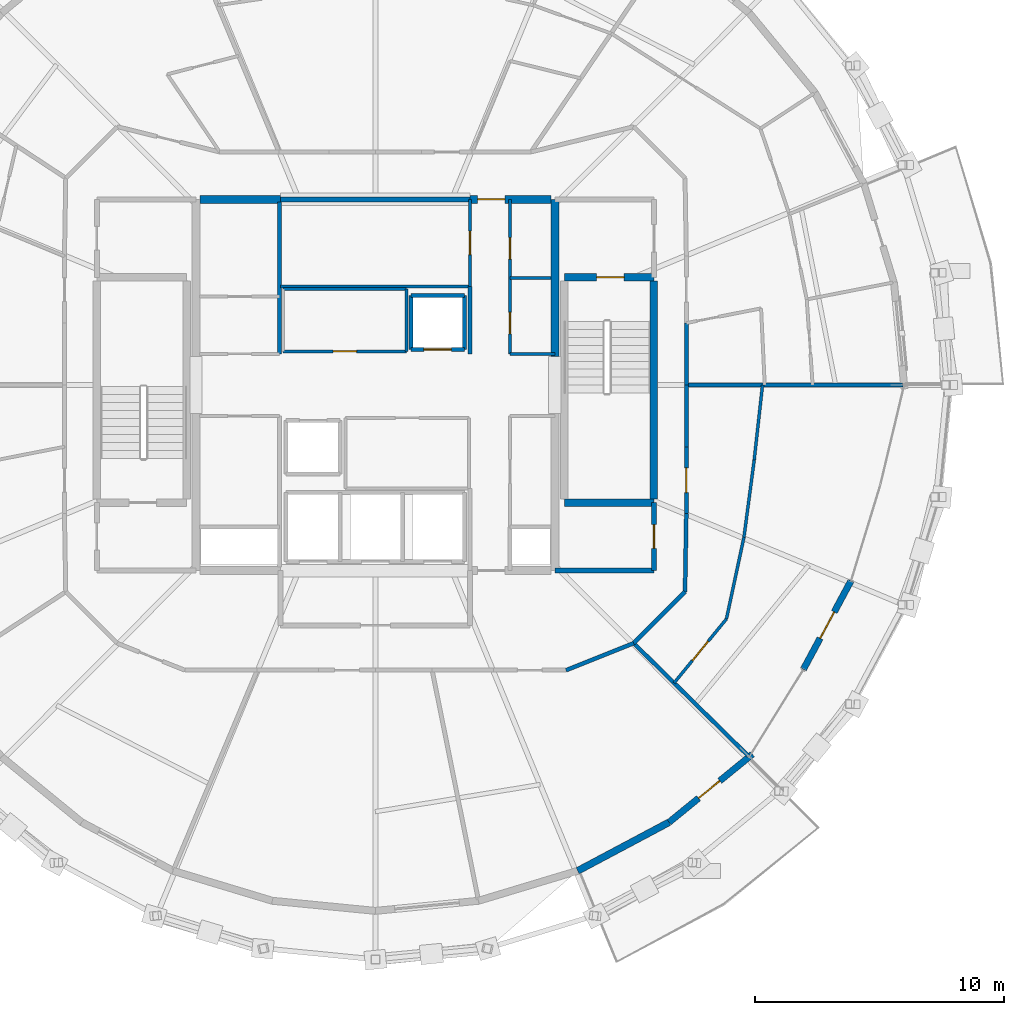
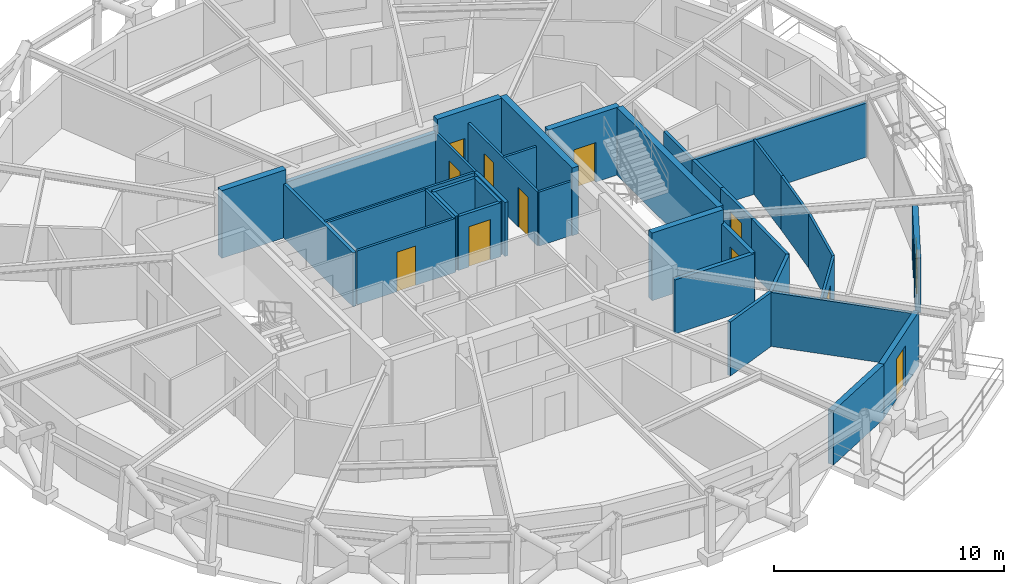
# One storey, part 9 of 12: 38 walls, 12 doors, 12 openings.
"""IFC4 building model written with IfcOpenShell, lengths in metres."""

from ifc_helpers import new_model, si_unit, direction, frame, frame_2d, origin, place, context, subcontext, project, spatial, rectangle, extrude, material, layer, layer_set, type_object, element, fill, save


model = new_model("IFC4")

# Units and contexts
model_context = context("Model", 3, precision=1e-05, world=origin(), true_north=direction((0.0, 1.0)))
body_context = subcontext(model_context, "Body", "Model", "MODEL_VIEW")
ifc_project = project(units=[si_unit("LENGTHUNIT", "METRE"), si_unit("AREAUNIT", "SQUARE_METRE"), si_unit("VOLUMEUNIT", "CUBIC_METRE"), si_unit("PLANEANGLEUNIT", "RADIAN"), si_unit("MASSUNIT", "GRAM", prefix="KILO")], contexts=[model_context])

# Site, building, storey
site_placement = place(None, origin())
site = spatial("IfcSite", under=ifc_project, at=site_placement, CompositionType="ELEMENT")
building_placement = place(site_placement, origin())
building = spatial("IfcBuilding", under=site, at=building_placement, Name="Veldorina Hangang Commons", CompositionType="ELEMENT")
storey_placement = place(building_placement, frame((0.0, 0.0, 247.199951171875)))
storey = spatial("IfcBuildingStorey", under=building, at=storey_placement, Name="L64", CompositionType="ELEMENT", Elevation=247.199951171875)

# Walls
ifc_material_1 = material(Name="Concrete C50/60", Category="concrete")
ifc_layer_1 = layer(ifc_material_1, 0.320068359375)
ifc_layer_set_1 = layer_set([ifc_layer_1], Name="Concrete C50/60")
wall_type_1 = type_object("IfcWallType", Name="CW-RC320-C50", PredefinedType="SHEAR", material=ifc_layer_set_1)
wall_1_placement = place(storey_placement, frame((39.199951171875, 25.14990234375, 0.0), z_axis=(0.0, 0.0, 1.0), x_axis=(0.0, 1.0, 0.0)))
element("IfcWall", 1, at=wall_1_placement, inside=storey, type_object=wall_type_1, Name="L64 E north core shear wall", PredefinedType="SHEAR", context=body_context, shape_type="SweptSolid", body=[
    extrude(rectangle(XDim=6.300048828125, YDim=0.320068359375, at=frame_2d((3.14990234375, 0.0))), origin(), (0.0, 0.0, 1.0), 3.60009765625),
])
wall_2_placement = place(storey_placement, frame((24.9599609375, 31.449951171875, 0.0), z_axis=(0.0, 0.0, 1.0), x_axis=(1.0, 0.0, 0.0)))
element("IfcWall", 2, at=wall_2_placement, inside=storey, type_object=wall_type_1, Name="L64 north-west core shear wall", PredefinedType="SHEAR", context=body_context, shape_type="SweptSolid", body=[
    extrude(rectangle(XDim=3.239990234375, YDim=0.320068359375, at=frame_2d((1.6201171875, 0.0))), origin(), (0.0, 0.0, 1.0), 3.60009765625),
])

# Wall, opening, door
wall_3_placement = place(storey_placement, frame((35.800048828125, 31.449951171875, 0.0), z_axis=(0.0, 0.0, 1.0), x_axis=(1.0, 0.0, 0.0)))
wall_3 = element("IfcWall", 3, at=wall_3_placement, inside=storey, type_object=wall_type_1, Name="L64 north-east core shear wall", PredefinedType="SHEAR", context=body_context, shape_type="SweptSolid", body=[
    extrude(rectangle(XDim=3.239990234375, YDim=0.320068359375, at=frame_2d((1.6201171875, 0.0))), origin(), (0.0, 0.0, 1.0), 3.60009765625),
])
opening_1_placement = place(wall_3_placement, frame((0.300048828125, 0.0, 0.0)))
opening_1 = element("IfcOpeningElement", 4, at=opening_1_placement, cuts=wall_3, Name="Opening D-08", PredefinedType="OPENING", context=body_context, shape_type="SweptSolid", body=[
    extrude(rectangle(XDim=1.10009765625, YDim=2.10009765625, at=frame_2d((0.550048828125, 1.050048828125))), frame((0.0, 0.169921875, 0.0), z_axis=(0.0, -1.0, 0.0), x_axis=(1.0, 0.0, 0.0)), (0.0, 0.0, 1.0), 0.340087890625),
])
ifc_material_2 = material(Name="Steel Fire-Rated Smoke Seal", Category="steel")
door_type_1 = type_object("IfcDoorType", Name="DR-FIRE-1100", OperationType="SINGLE_SWING_RIGHT", PredefinedType="DOOR", material=ifc_material_2)
door_1_placement = place(opening_1_placement, origin())
door_1 = element("IfcDoor", 5, at=door_1_placement, inside=storey, type_object=door_type_1, Name="L64 central lift lobby north corridor door", OperationType="SINGLE_SWING_LEFT", OverallHeight=2.10009765625, OverallWidth=1.10009765625, PredefinedType="DOOR", context=body_context, shape_type="SweptSolid", body=[
    extrude(rectangle(XDim=1.10009765625, YDim=2.10009765625, at=frame_2d((0.550048828125, 1.050048828125))), frame((0.0, 0.02490234375, 0.0), z_axis=(0.0, -1.0, 0.0), x_axis=(1.0, 0.0, 0.0)), (0.0, 0.0, 1.0), 0.050048828125),
])
fill(opening_1, door_1)

ifc_material_3 = material(Name="Stone Roman Travertine", Category="masonry")
ifc_layer_2 = layer(ifc_material_3, 0.260009765625)
ifc_layer_set_2 = layer_set([ifc_layer_2], Name="Stone Roman Travertine")
wall_type_2 = type_object("IfcWallType", Name="EW-LOGGIA-260", PredefinedType="STANDARD", material=ifc_layer_set_2)
wall_4_placement = place(storey_placement, frame((43.7890625, 6.447998046875, 0.0), z_axis=(0.0, 0.0, 1.0), x_axis=(0.774617624574, 0.63242986623, 0.0)))
wall_4 = element("IfcWall", 6, at=wall_4_placement, inside=storey, type_object=wall_type_2, Name="L64 sky-garden loggia portal wall 27", PredefinedType="STANDARD", context=body_context, shape_type="SweptSolid", body=[
    extrude(rectangle(XDim=4.313232421875, YDim=0.260009765625, at=frame_2d((2.15673828125, 0.0))), origin(), (0.0, 0.0, 1.0), 2.880126953125),
])
opening_2_placement = place(wall_4_placement, frame((1.525634765625, 0.0, 0.0)))
opening_2 = element("IfcOpeningElement", 7, at=opening_2_placement, cuts=wall_4, Name="Opening BD-1100", PredefinedType="OPENING", context=body_context, shape_type="SweptSolid", body=[
    extrude(rectangle(XDim=1.10009765625, YDim=2.14990234375, at=frame_2d((0.550048828125, 1.074951171875))), frame((0.0, 0.14013671875, 0.0), z_axis=(0.0, -1.0, 0.0), x_axis=(1.0, 0.0, 0.0)), (0.0, 0.0, 1.0), 0.280029296875),
])
ifc_material_4 = material(Name="Glass Thermal Aluminium Frame", Category="aluminium")
door_type_2 = type_object("IfcDoorType", Name="DR-EXT-BAL1100", OperationType="SINGLE_SWING_RIGHT", PredefinedType="DOOR", material=ifc_material_4)
door_2_placement = place(opening_2_placement, origin())
door_2 = element("IfcDoor", 8, at=door_2_placement, inside=storey, type_object=door_type_2, Name="L64 tree balcony glazed exterior door 27", OperationType="SINGLE_SWING_RIGHT", OverallHeight=2.14990234375, OverallWidth=1.10009765625, PredefinedType="DOOR", context=body_context, shape_type="SweptSolid", body=[
    extrude(rectangle(XDim=1.10009765625, YDim=2.14990234375, at=frame_2d((0.550048828125, 1.074951171875))), frame((0.0, 0.02490234375, 0.0), z_axis=(0.0, -1.0, 0.0), x_axis=(1.0, 0.0, 0.0)), (0.0, 0.0, 1.0), 0.050048828125),
])
fill(opening_2, door_2)

wall_5_placement = place(storey_placement, frame((49.177978515625, 12.583251953125, 0.0), z_axis=(0.0, 0.0, 1.0), x_axis=(0.473363272394, 0.88086730689, 0.0)))
wall_5 = element("IfcWall", 9, at=wall_5_placement, inside=storey, type_object=wall_type_2, Name="L64 sky-garden loggia portal wall 29", PredefinedType="STANDARD", context=body_context, shape_type="SweptSolid", body=[
    extrude(rectangle(XDim=4.033203125, YDim=0.260009765625, at=frame_2d((2.0166015625, 0.0))), origin(), (0.0, 0.0, 1.0), 2.880126953125),
])
opening_3_placement = place(wall_5_placement, frame((1.41650390625, 0.0, 0.0)))
opening_3 = element("IfcOpeningElement", 10, at=opening_3_placement, cuts=wall_5, Name="Opening BD-1200", PredefinedType="OPENING", context=body_context, shape_type="SweptSolid", body=[
    extrude(rectangle(XDim=1.199951171875, YDim=2.14990234375, at=frame_2d((0.60009765625, 1.074951171875))), frame((0.0, 0.14013671875, 0.0), z_axis=(0.0, -1.0, 0.0), x_axis=(1.0, 0.0, 0.0)), (0.0, 0.0, 1.0), 0.280029296875),
])
door_type_3 = type_object("IfcDoorType", Name="DR-EXT-LOG1200", OperationType="SINGLE_SWING_LEFT", PredefinedType="DOOR", material=ifc_material_4)
door_3_placement = place(opening_3_placement, origin())
door_3 = element("IfcDoor", 11, at=door_3_placement, inside=storey, type_object=door_type_3, Name="L64 loggia glazed exterior door 29", OperationType="SINGLE_SWING_RIGHT", OverallHeight=2.14990234375, OverallWidth=1.199951171875, PredefinedType="DOOR", context=body_context, shape_type="SweptSolid", body=[
    extrude(rectangle(XDim=1.199951171875, YDim=2.14990234375, at=frame_2d((0.60009765625, 1.074951171875))), frame((0.0, 0.02490234375, 0.0), z_axis=(0.0, -1.0, 0.0), x_axis=(1.0, 0.0, 0.0)), (0.0, 0.0, 1.0), 0.050048828125),
])
fill(opening_3, door_3)

# Walls
ifc_layer_3 = layer(ifc_material_3, 0.280029296875)
ifc_layer_set_3 = layer_set([ifc_layer_3], Name="Stone Roman Travertine")
wall_type_3 = type_object("IfcWallType", Name="EW-TRAV-280", PredefinedType="STANDARD", material=ifc_layer_set_3)
wall_6_placement = place(storey_placement, frame((40.12060546875, 4.497314453125, 0.0), z_axis=(0.0, 0.0, 1.0), x_axis=(0.88293458377, 0.469496028506, 0.0)))
element("IfcWall", 12, at=wall_6_placement, inside=storey, type_object=wall_type_3, Name="L64 travertine facade wall 26", PredefinedType="STANDARD", context=body_context, shape_type="SweptSolid", body=[
    extrude(rectangle(XDim=4.15478515625, YDim=0.280029296875, at=frame_2d((2.077392578125, 0.0))), origin(), (0.0, 0.0, 1.0), 2.880126953125),
])
ifc_layer_4 = layer(ifc_material_1, 0.300048828125)
ifc_layer_set_4 = layer_set([ifc_layer_4], Name="Concrete C50/60")
wall_type_4 = type_object("IfcWallType", Name="SW-STAIR-300", PredefinedType="SHEAR", material=ifc_layer_set_4)
wall_7_placement = place(storey_placement, frame((43.179931640625, 19.429931640625, 0.0), z_axis=(0.0, 0.0, 1.0), x_axis=(0.0, 1.0, 0.0)))
element("IfcWall", 13, at=wall_7_placement, inside=storey, type_object=wall_type_4, Name="L64 ST2 outer stair shear wall", PredefinedType="SHEAR", context=body_context, shape_type="SweptSolid", body=[
    extrude(rectangle(XDim=8.739990234375, YDim=0.300048828125, at=frame_2d((4.3701171875, 0.0))), origin(), (0.0, 0.0, 1.0), 3.60009765625),
])
wall_8_placement = place(storey_placement, frame((39.580078125, 19.280029296875, 0.0), z_axis=(0.0, 0.0, 1.0), x_axis=(1.0, 0.0, 0.0)))
element("IfcWall", 14, at=wall_8_placement, inside=storey, type_object=wall_type_4, Name="L64 ST2 south stair shear wall", PredefinedType="SHEAR", context=body_context, shape_type="SweptSolid", body=[
    extrude(rectangle(XDim=3.599853515625, YDim=0.300048828125, at=frame_2d((1.7998046875, 0.0))), origin(), (0.0, 0.0, 1.0), 3.60009765625),
])

# Wall, opening, door
wall_9_placement = place(storey_placement, frame((39.580078125, 28.320068359375, 0.0), z_axis=(0.0, 0.0, 1.0), x_axis=(1.0, 0.0, 0.0)))
wall_9 = element("IfcWall", 15, at=wall_9_placement, inside=storey, type_object=wall_type_4, Name="L64 ST2 north stair shear wall", PredefinedType="SHEAR", context=body_context, shape_type="SweptSolid", body=[
    extrude(rectangle(XDim=3.599853515625, YDim=0.300048828125, at=frame_2d((1.7998046875, 0.0))), origin(), (0.0, 0.0, 1.0), 3.60009765625),
])
opening_4_placement = place(wall_9_placement, frame((1.300048828125, 0.0, 0.0)))
opening_4 = element("IfcOpeningElement", 16, at=opening_4_placement, cuts=wall_9, Name="Opening D-08", PredefinedType="OPENING", context=body_context, shape_type="SweptSolid", body=[
    extrude(rectangle(XDim=1.10009765625, YDim=2.10009765625, at=frame_2d((0.550048828125, 1.050048828125))), frame((0.0, 0.16015625, 0.0), z_axis=(0.0, -1.0, 0.0), x_axis=(1.0, 0.0, 0.0)), (0.0, 0.0, 1.0), 0.320068359375),
])
door_4_placement = place(opening_4_placement, origin())
door_4 = element("IfcDoor", 17, at=door_4_placement, inside=storey, type_object=door_type_1, Name="L64 Special Escape Stair ST-2 door", OperationType="SINGLE_SWING_RIGHT", OverallHeight=2.10009765625, OverallWidth=1.10009765625, PredefinedType="DOOR", context=body_context, shape_type="SweptSolid", body=[
    extrude(rectangle(XDim=1.10009765625, YDim=2.10009765625, at=frame_2d((0.550048828125, 1.050048828125))), frame((0.0, 0.02490234375, 0.0), z_axis=(0.0, -1.0, 0.0), x_axis=(1.0, 0.0, 0.0)), (0.0, 0.0, 1.0), 0.050048828125),
])
fill(opening_4, door_4)

# Wall
ifc_material_5 = material(Name="Gypsum Fire-Rated Twin Stud Wall", Category="gypsum")
ifc_layer_5 = layer(ifc_material_5, 0.159912109375)
ifc_layer_set_5 = layer_set([ifc_layer_5], Name="Gypsum Fire-Rated Twin Stud Wall")
wall_type_5 = type_object("IfcWallType", Name="WL-FIRE-160", PredefinedType="SOLIDWALL", material=ifc_layer_set_5)
wall_10_placement = place(storey_placement, frame((35.800048828125, 25.25, 0.0), z_axis=(0.0, 0.0, 1.0), x_axis=(0.0, 1.0, 0.0)))
element("IfcWall", 18, at=wall_10_placement, inside=storey, type_object=wall_type_5, Name="L64 Lift passage NW lower wall 011", PredefinedType="SOLIDWALL", context=body_context, shape_type="SweptSolid", body=[
    extrude(rectangle(XDim=2.699951171875, YDim=0.159912109375, at=frame_2d((1.35009765625, 0.0))), origin(), (0.0, 0.0, 1.0), 2.8701171875),
])

# Wall, opening, door
wall_11_placement = place(storey_placement, frame((33.419921875, 25.419921875, 0.0), z_axis=(0.0, 0.0, 1.0), x_axis=(1.0, 0.0, 0.0)))
wall_11 = element("IfcWall", 19, at=wall_11_placement, inside=storey, type_object=wall_type_5, Name="L64 Mid-high front shaft wall 015", PredefinedType="SOLIDWALL", context=body_context, shape_type="SweptSolid", body=[
    extrude(rectangle(XDim=2.16015625, YDim=0.159912109375, at=frame_2d((1.080078125, 0.0))), origin(), (0.0, 0.0, 1.0), 2.8701171875),
])
opening_5_placement = place(wall_11_placement, frame((0.530029296875, 0.0, 0.0)))
opening_5 = element("IfcOpeningElement", 20, at=opening_5_placement, cuts=wall_11, Name="Opening LD-01", PredefinedType="OPENING", context=body_context, shape_type="SweptSolid", body=[
    extrude(rectangle(XDim=1.10009765625, YDim=2.14990234375, at=frame_2d((0.550048828125, 1.074951171875))), frame((0.0, 0.08984375, 0.0), z_axis=(0.0, -1.0, 0.0), x_axis=(1.0, 0.0, 0.0)), (0.0, 0.0, 1.0), 0.179931640625),
])
ifc_material_6 = material(Name="Stainless Steel Brushed Lift Door", Category="steel")
door_type_4 = type_object("IfcDoorType", Name="DR-LIFT-1100", OperationType="SLIDING_TO_LEFT", PredefinedType="DOOR", material=ifc_material_6)
door_5_placement = place(opening_5_placement, origin())
door_5 = element("IfcDoor", 21, at=door_5_placement, inside=storey, type_object=door_type_4, Name="L64 Lift PL-H1 landing door 006", OperationType="SLIDING_TO_RIGHT", OverallHeight=2.14990234375, OverallWidth=1.10009765625, PredefinedType="DOOR", context=body_context, shape_type="SweptSolid", body=[
    extrude(rectangle(XDim=1.10009765625, YDim=2.14990234375, at=frame_2d((0.550048828125, 1.074951171875))), frame((0.0, 0.02490234375, 0.0), z_axis=(0.0, -1.0, 0.0), x_axis=(1.0, 0.0, 0.0)), (0.0, 0.0, 1.0), 0.050048828125),
])
fill(opening_5, door_5)

# Walls
for number, where, z_axis, x_axis, name in (
    (22, (33.419921875, 27.580078125, 0.0), (0.0, 0.0, 1.0), (1.0, 0.0, 0.0), "L64 Mid-high rear shaft wall 016"),
    (23, (33.419921875, 25.419921875, 0.0), (0.0, 0.0, 1.0), (0.0, 1.0, 0.0), "L64 PL-H1 west shaft wall 017"),
    (24, (35.580078125, 25.419921875, 0.0), (0.0, 0.0, 1.0), (0.0, 1.0, 0.0), "L64 PL-H1 east shaft wall 018"),
):
    element("IfcWall", number, at=place(storey_placement, frame(where, z_axis=z_axis, x_axis=x_axis)), inside=storey, type_object=wall_type_5, Name=name, PredefinedType="SOLIDWALL", context=body_context, shape_type="SweptSolid", body=[
        extrude(rectangle(XDim=2.16015625, YDim=0.159912109375, at=frame_2d((1.080078125, 0.0))), origin(), (0.0, 0.0, 1.0), 2.8701171875),
    ])
wall_12_placement = place(storey_placement, frame((28.14990234375, 25.25, 0.0), z_axis=(0.0, 0.0, 1.0), x_axis=(0.0, 1.0, 0.0)))
element("IfcWall", 25, at=wall_12_placement, inside=storey, type_object=wall_type_5, Name="L64 NW core inner wall 043", PredefinedType="SOLIDWALL", context=body_context, shape_type="SweptSolid", body=[
    extrude(rectangle(XDim=6.10009765625, YDim=0.159912109375, at=frame_2d((3.050048828125, 0.0))), origin(), (0.0, 0.0, 1.0), 2.8701171875),
])
wall_13_placement = place(storey_placement, frame((44.47998046875, 24.0, 0.0), z_axis=(0.0, 0.0, 1.0), x_axis=(0.0, 1.0, 0.0)))
element("IfcWall", 26, at=wall_13_placement, inside=storey, type_object=wall_type_5, Name="L64 Compact collar outer wall 00 052", PredefinedType="SOLIDWALL", context=body_context, shape_type="SweptSolid", body=[
    extrude(rectangle(XDim=2.482421875, YDim=0.159912109375, at=frame_2d((1.2412109375, 0.0))), origin(), (0.0, 0.0, 1.0), 2.8701171875),
])
wall_14_placement = place(storey_placement, frame((39.650634765625, 12.550048828125, 0.0), z_axis=(0.0, 0.0, 1.0), x_axis=(0.92856882165, 0.371160266542, 0.0)))
element("IfcWall", 27, at=wall_14_placement, inside=storey, type_object=wall_type_5, Name="L64 Compact collar outer wall 27 079", PredefinedType="SOLIDWALL", context=body_context, shape_type="SweptSolid", body=[
    extrude(rectangle(XDim=2.923095703125, YDim=0.159912109375, at=frame_2d((1.46142578125, 0.0))), origin(), (0.0, 0.0, 1.0), 2.8701171875),
])
wall_15_placement = place(storey_placement, frame((42.364990234375, 13.635009765625, 0.0), z_axis=(0.0, 0.0, 1.0), x_axis=(0.707106781187, 0.707106781187, 0.0)))
element("IfcWall", 28, at=wall_15_placement, inside=storey, type_object=wall_type_5, Name="L64 Compact collar outer wall 28 080", PredefinedType="SOLIDWALL", context=body_context, shape_type="SweptSolid", body=[
    extrude(rectangle(XDim=2.915771484375, YDim=0.159912109375, at=frame_2d((1.4580078125, 0.0))), origin(), (0.0, 0.0, 1.0), 2.8701171875),
])
wall_16_placement = place(storey_placement, frame((44.4267578125, 15.69677734375, 0.0), z_axis=(0.0, 0.0, 1.0), x_axis=(0.016981035134, 0.999855811828, 0.0)))
element("IfcWall", 29, at=wall_16_placement, inside=storey, type_object=wall_type_5, Name="L64 Compact collar outer wall 29 081", PredefinedType="SOLIDWALL", context=body_context, shape_type="SweptSolid", body=[
    extrude(rectangle(XDim=3.13427734375, YDim=0.159912109375, at=frame_2d((1.567138671875, 0.0))), origin(), (0.0, 0.0, 1.0), 2.8701171875),
])

# Wall, opening, door
wall_17_placement = place(storey_placement, frame((44.47998046875, 18.83056640625, 0.0), z_axis=(0.0, 0.0, 1.0), x_axis=(0.0, 1.0, 0.0)))
wall_17 = element("IfcWall", 30, at=wall_17_placement, inside=storey, type_object=wall_type_5, Name="L64 Compact collar outer wall 30 082", PredefinedType="SOLIDWALL", context=body_context, shape_type="SweptSolid", body=[
    extrude(rectangle(XDim=2.68701171875, YDim=0.159912109375, at=frame_2d((1.343505859375, 0.0))), origin(), (0.0, 0.0, 1.0), 2.8701171875),
])
opening_6_placement = place(wall_17_placement, frame((0.843505859375, 0.0, 0.0)))
opening_6 = element("IfcOpeningElement", 31, at=opening_6_placement, cuts=wall_17, Name="Opening D-05", PredefinedType="OPENING", context=body_context, shape_type="SweptSolid", body=[
    extrude(rectangle(XDim=1.0, YDim=2.10009765625, at=frame_2d((0.5, 1.050048828125))), frame((0.0, 0.08984375, 0.0), z_axis=(0.0, -1.0, 0.0), x_axis=(1.0, 0.0, 0.0)), (0.0, 0.0, 1.0), 0.179931640625),
])
ifc_material_7 = material(Name="Timber Solid Core Acoustic", Category="wood")
door_type_5 = type_object("IfcDoorType", Name="DR-INT-1000", OperationType="SINGLE_SWING_RIGHT", PredefinedType="DOOR", material=ifc_material_7)
door_6_placement = place(opening_6_placement, origin())
door_6 = element("IfcDoor", 32, at=door_6_placement, inside=storey, type_object=door_type_5, Name="L64 Commons alcove door 020", OperationType="SINGLE_SWING_RIGHT", OverallHeight=2.10009765625, OverallWidth=1.0, PredefinedType="DOOR", context=body_context, shape_type="SweptSolid", body=[
    extrude(rectangle(XDim=1.0, YDim=2.10009765625, at=frame_2d((0.5, 1.050048828125))), frame((0.0, 0.02490234375, 0.0), z_axis=(0.0, -1.0, 0.0), x_axis=(1.0, 0.0, 0.0)), (0.0, 0.0, 1.0), 0.050048828125),
])
fill(opening_6, door_6)

# Walls
wall_18_placement = place(storey_placement, frame((44.47998046875, 21.517578125, 0.0), z_axis=(0.0, 0.0, 1.0), x_axis=(0.0, 1.0, 0.0)))
element("IfcWall", 33, at=wall_18_placement, inside=storey, type_object=wall_type_5, Name="L64 Compact collar outer wall 31 083", PredefinedType="SOLIDWALL", context=body_context, shape_type="SweptSolid", body=[
    extrude(rectangle(XDim=2.482421875, YDim=0.159912109375, at=frame_2d((1.2412109375, 0.0))), origin(), (0.0, 0.0, 1.0), 2.8701171875),
])
wall_19_placement = place(storey_placement, frame((42.364990234375, 13.635009765625, 0.0), z_axis=(0.0, 0.0, 1.0), x_axis=(0.713074718059, -0.701088044731, 0.0)))
element("IfcWall", 34, at=wall_19_placement, inside=storey, type_object=wall_type_5, Name="L64 Unit party wall 28 084", PredefinedType="SOLIDWALL", context=body_context, shape_type="SweptSolid", body=[
    extrude(rectangle(XDim=6.45654296875, YDim=0.159912109375, at=frame_2d((3.228271484375, 0.0))), origin(), (0.0, 0.0, 1.0), 2.8701171875),
])
wall_20_placement = place(storey_placement, frame((44.47998046875, 24.0, 0.0), z_axis=(0.0, 0.0, 1.0), x_axis=(1.0, 0.0, 0.0)))
element("IfcWall", 35, at=wall_20_placement, inside=storey, type_object=wall_type_5, Name="L64 Unit party wall 00 089", PredefinedType="SOLIDWALL", context=body_context, shape_type="SweptSolid", body=[
    extrude(rectangle(XDim=8.68994140625, YDim=0.159912109375, at=frame_2d((4.344970703125, 0.0))), origin(), (0.0, 0.0, 1.0), 2.8701171875),
])

# Wall, opening, door
ifc_material_8 = material(Name="Concrete Blockwork Fire Wall C30/37", Category="masonry")
ifc_layer_6 = layer(ifc_material_8, 0.199951171875)
ifc_layer_set_6 = layer_set([ifc_layer_6], Name="Concrete Blockwork Fire Wall C30/37")
wall_type_6 = type_object("IfcWallType", Name="WL-FIRE-200", PredefinedType="SOLIDWALL", material=ifc_layer_set_6)
wall_21_placement = place(storey_placement, frame((43.179931640625, 16.550048828125, 0.0), z_axis=(0.0, 0.0, 1.0), x_axis=(0.0, 1.0, 0.0)))
wall_21 = element("IfcWall", 36, at=wall_21_placement, inside=storey, type_object=wall_type_6, Name="L64 SE core room outer wall 007", PredefinedType="SOLIDWALL", context=body_context, shape_type="SweptSolid", body=[
    extrude(rectangle(XDim=2.72998046875, YDim=0.199951171875, at=frame_2d((1.364990234375, 0.0))), origin(), (0.0, 0.0, 1.0), 2.8701171875),
])
opening_7_placement = place(wall_21_placement, frame((0.889892578125, 0.0, 0.0)))
opening_7 = element("IfcOpeningElement", 37, at=opening_7_placement, cuts=wall_21, Name="Opening D-02", PredefinedType="OPENING", context=body_context, shape_type="SweptSolid", body=[
    extrude(rectangle(XDim=0.949951171875, YDim=2.10009765625, at=frame_2d((0.47509765625, 1.050048828125))), frame((0.0, 0.10986328125, 0.0), z_axis=(0.0, -1.0, 0.0), x_axis=(1.0, 0.0, 0.0)), (0.0, 0.0, 1.0), 0.219970703125),
])
door_type_6 = type_object("IfcDoorType", Name="DR-INT-950", OperationType="SINGLE_SWING_LEFT", PredefinedType="DOOR", material=ifc_material_7)
door_7_placement = place(opening_7_placement, origin())
door_7 = element("IfcDoor", 38, at=door_7_placement, inside=storey, type_object=door_type_6, Name="L64 SE core WC door 004", OperationType="SINGLE_SWING_RIGHT", OverallHeight=2.10009765625, OverallWidth=0.949951171875, PredefinedType="DOOR", context=body_context, shape_type="SweptSolid", body=[
    extrude(rectangle(XDim=0.949951171875, YDim=2.10009765625, at=frame_2d((0.47509765625, 1.050048828125))), frame((0.0, 0.02490234375, 0.0), z_axis=(0.0, -1.0, 0.0), x_axis=(1.0, 0.0, 0.0)), (0.0, 0.0, 1.0), 0.050048828125),
])
fill(opening_7, door_7)

# Walls
wall_22_placement = place(storey_placement, frame((39.199951171875, 16.550048828125, 0.0), z_axis=(0.0, 0.0, 1.0), x_axis=(1.0, 0.0, 0.0)))
element("IfcWall", 39, at=wall_22_placement, inside=storey, type_object=wall_type_6, Name="L64 SE core room south wall 008", PredefinedType="SOLIDWALL", context=body_context, shape_type="SweptSolid", body=[
    extrude(rectangle(XDim=3.97998046875, YDim=0.199951171875, at=frame_2d((1.989990234375, 0.0))), origin(), (0.0, 0.0, 1.0), 2.8701171875),
])
wall_23_placement = place(storey_placement, frame((28.199951171875, 31.449951171875, 0.0), z_axis=(0.0, 0.0, 1.0), x_axis=(1.0, 0.0, 0.0)))
element("IfcWall", 40, at=wall_23_placement, inside=storey, type_object=wall_type_6, Name="L64 Merged north core wall 029", PredefinedType="SOLIDWALL", context=body_context, shape_type="SweptSolid", body=[
    extrude(rectangle(XDim=7.60009765625, YDim=0.199951171875, at=frame_2d((3.800048828125, 0.0))), origin(), (0.0, 0.0, 1.0), 2.8701171875),
])
ifc_material_9 = material(Name="Gypsum Acoustic Stud Partition", Category="gypsum")
ifc_layer_7 = layer(ifc_material_9, 0.1201171875)
ifc_layer_set_7 = layer_set([ifc_layer_7], Name="Gypsum Acoustic Stud Partition")
wall_type_7 = type_object("IfcWallType", Name="WL-PART-120", PredefinedType="PARTITIONING", material=ifc_layer_set_7)
wall_24_placement = place(storey_placement, frame((28.199951171875, 27.949951171875, 0.0), z_axis=(0.0, 0.0, 1.0), x_axis=(1.0, 0.0, 0.0)))
element("IfcWall", 41, at=wall_24_placement, inside=storey, type_object=wall_type_7, Name="L64 Merged north south wall 030", PredefinedType="PARTITIONING", context=body_context, shape_type="SweptSolid", body=[
    extrude(rectangle(XDim=7.60009765625, YDim=0.1201171875, at=frame_2d((3.800048828125, 0.0))), origin(), (0.0, 0.0, 1.0), 2.8701171875),
])

# Wall, opening, door
wall_25_placement = place(storey_placement, frame((35.800048828125, 27.949951171875, 0.0), z_axis=(0.0, 0.0, 1.0), x_axis=(0.0, 1.0, 0.0)))
wall_25 = element("IfcWall", 42, at=wall_25_placement, inside=storey, type_object=wall_type_7, Name="L64 Merged north east wall 031", PredefinedType="PARTITIONING", context=body_context, shape_type="SweptSolid", body=[
    extrude(rectangle(XDim=3.5, YDim=0.1201171875, at=frame_2d((1.75, 0.0))), origin(), (0.0, 0.0, 1.0), 2.8701171875),
])
opening_8_placement = place(wall_25_placement, frame((1.27490234375, 0.0, 0.0)))
opening_8 = element("IfcOpeningElement", 43, at=opening_8_placement, cuts=wall_25, Name="Opening D-02", PredefinedType="OPENING", context=body_context, shape_type="SweptSolid", body=[
    extrude(rectangle(XDim=0.949951171875, YDim=2.10009765625, at=frame_2d((0.47509765625, 1.050048828125))), frame((0.0, 0.070068359375, 0.0), z_axis=(0.0, -1.0, 0.0), x_axis=(1.0, 0.0, 0.0)), (0.0, 0.0, 1.0), 0.14013671875),
])
door_8_placement = place(opening_8_placement, origin())
door_8 = element("IfcDoor", 44, at=door_8_placement, inside=storey, type_object=door_type_6, Name="L64 Merged north room lobby door 011", OperationType="SINGLE_SWING_LEFT", OverallHeight=2.10009765625, OverallWidth=0.949951171875, PredefinedType="DOOR", context=body_context, shape_type="SweptSolid", body=[
    extrude(rectangle(XDim=0.949951171875, YDim=2.10009765625, at=frame_2d((0.47509765625, 1.050048828125))), frame((0.0, 0.02490234375, 0.0), z_axis=(0.0, -1.0, 0.0), x_axis=(1.0, 0.0, 0.0)), (0.0, 0.0, 1.0), 0.050048828125),
])
fill(opening_8, door_8)

wall_26_placement = place(storey_placement, frame((28.300048828125, 25.35009765625, 0.0), z_axis=(0.0, 0.0, 1.0), x_axis=(1.0, 0.0, 0.0)))
wall_26 = element("IfcWall", 45, at=wall_26_placement, inside=storey, type_object=wall_type_7, Name="L64 Merged mid-bank south wall 032", PredefinedType="PARTITIONING", context=body_context, shape_type="SweptSolid", body=[
    extrude(rectangle(XDim=4.949951171875, YDim=0.1201171875, at=frame_2d((2.47509765625, 0.0))), origin(), (0.0, 0.0, 1.0), 2.8701171875),
])
opening_9_placement = place(wall_26_placement, frame((2.0, 0.0, 0.0)))
opening_9 = element("IfcOpeningElement", 46, at=opening_9_placement, cuts=wall_26, Name="Opening D-02", PredefinedType="OPENING", context=body_context, shape_type="SweptSolid", body=[
    extrude(rectangle(XDim=0.949951171875, YDim=2.10009765625, at=frame_2d((0.47509765625, 1.050048828125))), frame((0.0, 0.070068359375, 0.0), z_axis=(0.0, -1.0, 0.0), x_axis=(1.0, 0.0, 0.0)), (0.0, 0.0, 1.0), 0.14013671875),
])
door_9_placement = place(opening_9_placement, origin())
door_9 = element("IfcDoor", 47, at=door_9_placement, inside=storey, type_object=door_type_6, Name="L64 Quiet study room door 012", OperationType="SINGLE_SWING_RIGHT", OverallHeight=2.10009765625, OverallWidth=0.949951171875, PredefinedType="DOOR", context=body_context, shape_type="SweptSolid", body=[
    extrude(rectangle(XDim=0.949951171875, YDim=2.10009765625, at=frame_2d((0.47509765625, 1.050048828125))), frame((0.0, 0.02490234375, 0.0), z_axis=(0.0, -1.0, 0.0), x_axis=(1.0, 0.0, 0.0)), (0.0, 0.0, 1.0), 0.050048828125),
])
fill(opening_9, door_9)

# Walls
wall_27_placement = place(storey_placement, frame((28.300048828125, 27.85009765625, 0.0), z_axis=(0.0, 0.0, 1.0), x_axis=(1.0, 0.0, 0.0)))
element("IfcWall", 48, at=wall_27_placement, inside=storey, type_object=wall_type_7, Name="L64 Merged mid-bank north wall 033", PredefinedType="PARTITIONING", context=body_context, shape_type="SweptSolid", body=[
    extrude(rectangle(XDim=4.949951171875, YDim=0.1201171875, at=frame_2d((2.47509765625, 0.0))), origin(), (0.0, 0.0, 1.0), 2.8701171875),
])
wall_28_placement = place(storey_placement, frame((33.25, 25.35009765625, 0.0), z_axis=(0.0, 0.0, 1.0), x_axis=(0.0, 1.0, 0.0)))
element("IfcWall", 49, at=wall_28_placement, inside=storey, type_object=wall_type_7, Name="L64 Merged mid-bank east wall 035", PredefinedType="PARTITIONING", context=body_context, shape_type="SweptSolid", body=[
    extrude(rectangle(XDim=2.5, YDim=0.1201171875, at=frame_2d((1.25, 0.0))), origin(), (0.0, 0.0, 1.0), 2.8701171875),
])

# Wall, openings, doors
wall_29_placement = place(storey_placement, frame((37.39990234375, 25.25, 0.0), z_axis=(0.0, 0.0, 1.0), x_axis=(0.0, 1.0, 0.0)))
wall_29 = element("IfcWall", 50, at=wall_29_placement, inside=storey, type_object=wall_type_7, Name="L64 NE strip lobby wall 046", PredefinedType="PARTITIONING", context=body_context, shape_type="SweptSolid", body=[
    extrude(rectangle(XDim=6.199951171875, YDim=0.1201171875, at=frame_2d((3.10009765625, 0.0))), origin(), (0.0, 0.0, 1.0), 2.8701171875),
])
opening_10_placement = place(wall_29_placement, frame((0.800048828125, 0.0, 0.0)))
opening_10 = element("IfcOpeningElement", 51, at=opening_10_placement, cuts=wall_29, Name="Opening D-01", PredefinedType="OPENING", context=body_context, shape_type="SweptSolid", body=[
    extrude(rectangle(XDim=0.860107421875, YDim=2.10009765625, at=frame_2d((0.43017578125, 1.050048828125))), frame((0.0, 0.070068359375, 0.0), z_axis=(0.0, -1.0, 0.0), x_axis=(1.0, 0.0, 0.0)), (0.0, 0.0, 1.0), 0.14013671875),
])
opening_11_placement = place(wall_29_placement, frame((3.800048828125, 0.0, 0.0)))
opening_11 = element("IfcOpeningElement", 52, at=opening_11_placement, cuts=wall_29, Name="Opening D-01", PredefinedType="OPENING", context=body_context, shape_type="SweptSolid", body=[
    extrude(rectangle(XDim=0.860107421875, YDim=2.10009765625, at=frame_2d((0.43017578125, 1.050048828125))), frame((0.0, 0.070068359375, 0.0), z_axis=(0.0, -1.0, 0.0), x_axis=(1.0, 0.0, 0.0)), (0.0, 0.0, 1.0), 0.14013671875),
])
ifc_material_10 = material(Name="Timber Moisture-Resistant Core", Category="wood")
door_type_7 = type_object("IfcDoorType", Name="DR-WET-860", OperationType="SINGLE_SWING_LEFT", PredefinedType="DOOR", material=ifc_material_10)
door_10_placement = place(opening_10_placement, origin())
door_10 = element("IfcDoor", 53, at=door_10_placement, inside=storey, type_object=door_type_7, Name="L64 Electrical closet door 017", OperationType="SINGLE_SWING_LEFT", OverallHeight=2.10009765625, OverallWidth=0.860107421875, PredefinedType="DOOR", context=body_context, shape_type="SweptSolid", body=[
    extrude(rectangle(XDim=0.860107421875, YDim=2.10009765625, at=frame_2d((0.43017578125, 1.050048828125))), frame((0.0, 0.02490234375, 0.0), z_axis=(0.0, -1.0, 0.0), x_axis=(1.0, 0.0, 0.0)), (0.0, 0.0, 1.0), 0.050048828125),
])
fill(opening_10, door_10)
door_11_placement = place(opening_11_placement, origin())
door_11 = element("IfcDoor", 54, at=door_11_placement, inside=storey, type_object=door_type_7, Name="L64 IT closet door 018", OperationType="SINGLE_SWING_RIGHT", OverallHeight=2.10009765625, OverallWidth=0.860107421875, PredefinedType="DOOR", context=body_context, shape_type="SweptSolid", body=[
    extrude(rectangle(XDim=0.860107421875, YDim=2.10009765625, at=frame_2d((0.43017578125, 1.050048828125))), frame((0.0, 0.02490234375, 0.0), z_axis=(0.0, -1.0, 0.0), x_axis=(1.0, 0.0, 0.0)), (0.0, 0.0, 1.0), 0.050048828125),
])
fill(opening_11, door_11)

# Walls
wall_30_placement = place(storey_placement, frame((37.39990234375, 25.25, 0.0), z_axis=(0.0, 0.0, 1.0), x_axis=(1.0, 0.0, 0.0)))
element("IfcWall", 55, at=wall_30_placement, inside=storey, type_object=wall_type_7, Name="L64 NE strip south return wall 047", PredefinedType="PARTITIONING", context=body_context, shape_type="SweptSolid", body=[
    extrude(rectangle(XDim=1.800048828125, YDim=0.1201171875, at=frame_2d((0.89990234375, 0.0))), origin(), (0.0, 0.0, 1.0), 2.8701171875),
])
wall_31_placement = place(storey_placement, frame((37.39990234375, 28.300048828125, 0.0), z_axis=(0.0, 0.0, 1.0), x_axis=(1.0, 0.0, 0.0)))
element("IfcWall", 56, at=wall_31_placement, inside=storey, type_object=wall_type_7, Name="L64 NE mid wall 051", PredefinedType="PARTITIONING", context=body_context, shape_type="SweptSolid", body=[
    extrude(rectangle(XDim=1.650146484375, YDim=0.1201171875, at=frame_2d((0.8251953125, 0.0))), origin(), (0.0, 0.0, 1.0), 2.8701171875),
])

# Wall, opening, door
wall_32_placement = place(storey_placement, frame((43.989013671875, 12.038330078125, 0.0), z_axis=(0.0, 0.0, 1.0), x_axis=(0.633057472725, 0.774104796669, 0.0)))
wall_32 = element("IfcWall", 57, at=wall_32_placement, inside=storey, type_object=wall_type_7, Name="L64 Lounge alcove split 0 085", PredefinedType="PARTITIONING", context=body_context, shape_type="SweptSolid", body=[
    extrude(rectangle(XDim=3.318115234375, YDim=0.1201171875, at=frame_2d((1.6591796875, 0.0))), origin(), (0.0, 0.0, 1.0), 2.8701171875),
])
opening_12_placement = place(wall_32_placement, frame((1.1591796875, 0.0, 0.0)))
opening_12 = element("IfcOpeningElement", 58, at=opening_12_placement, cuts=wall_32, Name="Opening D-05", PredefinedType="OPENING", context=body_context, shape_type="SweptSolid", body=[
    extrude(rectangle(XDim=1.0, YDim=2.10009765625, at=frame_2d((0.5, 1.050048828125))), frame((0.0, 0.070068359375, 0.0), z_axis=(0.0, -1.0, 0.0), x_axis=(1.0, 0.0, 0.0)), (0.0, 0.0, 1.0), 0.14013671875),
])
door_12_placement = place(opening_12_placement, origin())
door_12 = element("IfcDoor", 59, at=door_12_placement, inside=storey, type_object=door_type_5, Name="L64 Commons lounge door 021", OperationType="SINGLE_SWING_LEFT", OverallHeight=2.10009765625, OverallWidth=1.0, PredefinedType="DOOR", context=body_context, shape_type="SweptSolid", body=[
    extrude(rectangle(XDim=1.0, YDim=2.10009765625, at=frame_2d((0.5, 1.050048828125))), frame((0.0, 0.02490234375, 0.0), z_axis=(0.0, -1.0, 0.0), x_axis=(1.0, 0.0, 0.0)), (0.0, 0.0, 1.0), 0.050048828125),
])
fill(opening_12, door_12)

# Walls
wall_33_placement = place(storey_placement, frame((46.089599609375, 14.60693359375, 0.0), z_axis=(0.0, 0.0, 1.0), x_axis=(0.20950424044, 0.977807738381, 0.0)))
element("IfcWall", 60, at=wall_33_placement, inside=storey, type_object=wall_type_7, Name="L64 Lounge alcove split 1 086", PredefinedType="PARTITIONING", context=body_context, shape_type="SweptSolid", body=[
    extrude(rectangle(XDim=3.35498046875, YDim=0.1201171875, at=frame_2d((1.677490234375, 0.0))), origin(), (0.0, 0.0, 1.0), 2.8701171875),
])
wall_34_placement = place(storey_placement, frame((46.79248046875, 17.887451171875, 0.0), z_axis=(0.0, 0.0, 1.0), x_axis=(0.131795047745, 0.991276987219, 0.0)))
element("IfcWall", 61, at=wall_34_placement, inside=storey, type_object=wall_type_7, Name="L64 Lounge alcove split 2 087", PredefinedType="PARTITIONING", context=body_context, shape_type="SweptSolid", body=[
    extrude(rectangle(XDim=3.123291015625, YDim=0.1201171875, at=frame_2d((1.5615234375, 0.0))), origin(), (0.0, 0.0, 1.0), 2.8701171875),
])
wall_35_placement = place(storey_placement, frame((47.2041015625, 20.9833984375, 0.0), z_axis=(0.0, 0.0, 1.0), x_axis=(0.110281438, 0.993900399654, 0.0)))
element("IfcWall", 62, at=wall_35_placement, inside=storey, type_object=wall_type_7, Name="L64 Lounge alcove split 3 088", PredefinedType="PARTITIONING", context=body_context, shape_type="SweptSolid", body=[
    extrude(rectangle(XDim=3.03515625, YDim=0.1201171875, at=frame_2d((1.517578125, 0.0))), origin(), (0.0, 0.0, 1.0), 2.8701171875),
])

save(model, "model.ifc")
